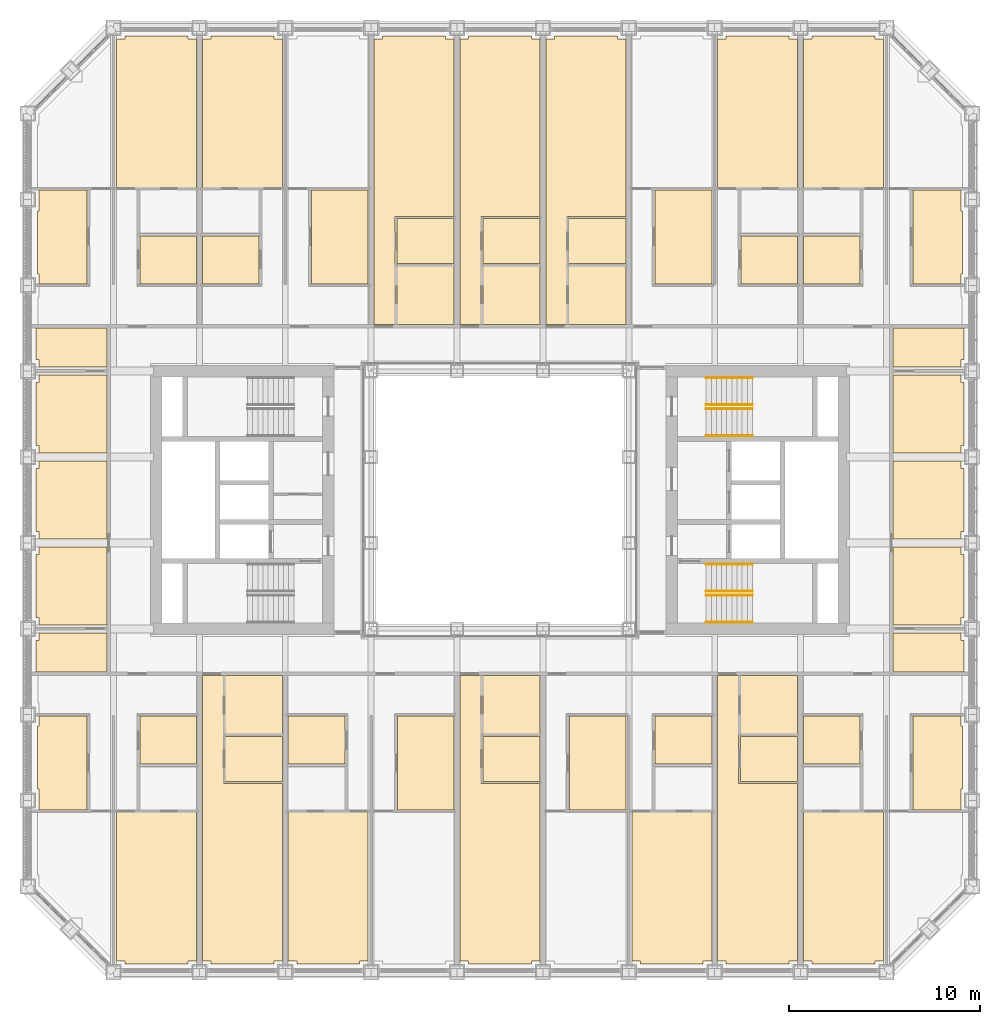
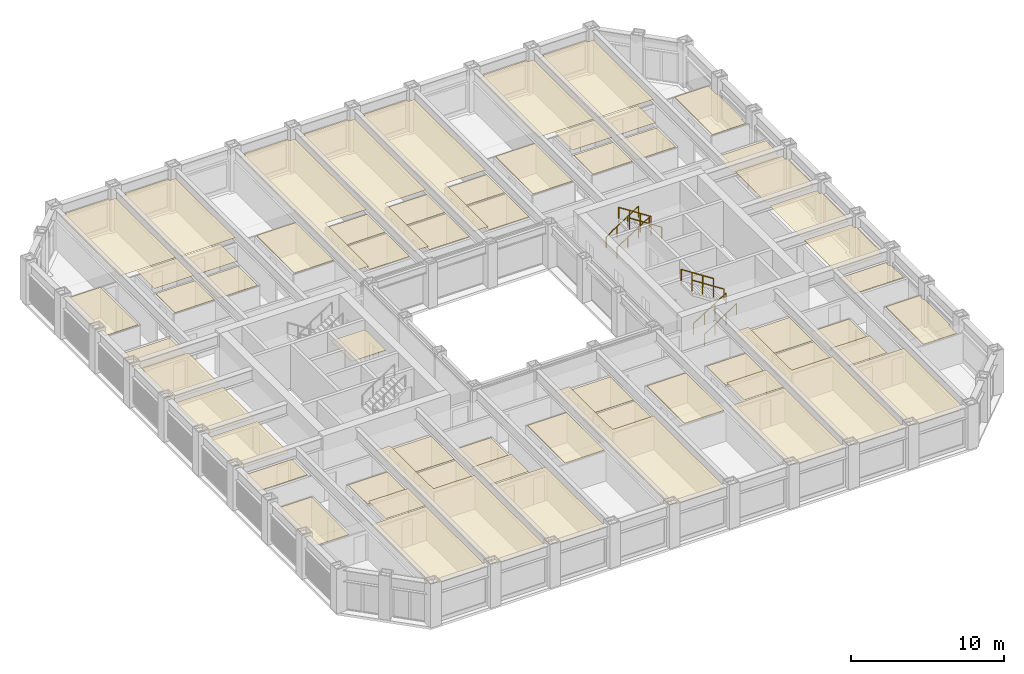
# One storey, part 20 of 21: 8 railings, 3 coverings.
"""IFC4 building model written with IfcOpenShell, lengths in metres."""

from ifc_helpers import new_model, si_unit, direction, frame, origin, origin_2d, place, context, subcontext, project, spatial, line, indexed_curve, circle, outline, extrude, material, layer, layer_set, type_object, element, save


model = new_model("IFC4")

# Units and contexts
model_context = context("Model", 3, precision=1e-05, world=origin(), true_north=direction((0.0, 1.0)))
body_context = subcontext(model_context, "Body", "Model", "MODEL_VIEW")
ifc_project = project(units=[si_unit("LENGTHUNIT", "METRE"), si_unit("AREAUNIT", "SQUARE_METRE"), si_unit("VOLUMEUNIT", "CUBIC_METRE"), si_unit("PLANEANGLEUNIT", "RADIAN"), si_unit("MASSUNIT", "GRAM", prefix="KILO")], contexts=[model_context])

# Site, building, storey
site_placement = place(None, origin())
site = spatial("IfcSite", under=ifc_project, at=site_placement, CompositionType="ELEMENT")
building_placement = place(site_placement, origin())
building = spatial("IfcBuilding", under=site, at=building_placement, Name="Msasa Ring Tower", CompositionType="ELEMENT")
storey_placement = place(building_placement, frame((0.0, 0.0, 44.0)))
storey = spatial("IfcBuildingStorey", under=building, at=storey_placement, Name="L10", CompositionType="ELEMENT", Elevation=44.0)

# Coverings
ifc_material_1 = material(Name="Gypsum plasterboard on a steel suspension grid", Category="steel")
ifc_layer_1 = layer(ifc_material_1, 0.014892578125)
ifc_layer_set_1 = layer_set([ifc_layer_1], Name="C1 SUSPENDED PLASTERBOARD CEILING 15")
covering_type_1 = type_object("IfcCoveringType", Name="C1 SUSPENDED PLASTERBOARD CEILING 15", PredefinedType="CEILING", material=ifc_layer_set_1)
covering_1_placement = place(storey_placement, frame((0.0, 0.0, 2.699951171875)))
element("IfcCovering", 1, at=covering_1_placement, inside=storey, type_object=covering_type_1, Name="Suspended Plasterboard Ceiling 15 L10", PredefinedType="CEILING", context=body_context, shape_type="SweptSolid", body=[
    extrude(outline(indexed_curve([(-24.299560546875, -2.8505859375), (-24.1494140625, -2.8505859375), (-24.1494140625, -2.460693359375), (-20.6005859375, -2.460693359375), (-20.6005859375, -6.539306640625), (-24.1494140625, -6.539306640625), (-24.1494140625, -6.1494140625), (-24.299560546875, -6.1494140625)], segments=[line(1, 2, 3, 4, 5, 6, 7, 8, 1)], self_intersect=False)), origin(), (0.0, 0.0, 1.0), 0.01513671875),
    extrude(outline(indexed_curve([(-24.299560546875, 1.6494140625), (-24.1494140625, 1.6494140625), (-24.1494140625, 2.039306640625), (-20.6005859375, 2.039306640625), (-20.6005859375, -2.039306640625), (-24.1494140625, -2.039306640625), (-24.1494140625, -1.6494140625), (-24.299560546875, -1.6494140625)], segments=[line(1, 2, 3, 4, 5, 6, 7, 8, 1)], self_intersect=False)), origin(), (0.0, 0.0, 1.0), 0.01513671875),
    extrude(outline(indexed_curve([(-24.299560546875, 6.1494140625), (-24.1494140625, 6.1494140625), (-24.1494140625, 6.539306640625), (-20.6005859375, 6.539306640625), (-20.6005859375, 2.460693359375), (-24.1494140625, 2.460693359375), (-24.1494140625, 2.8505859375), (-24.299560546875, 2.8505859375)], segments=[line(1, 2, 3, 4, 5, 6, 7, 8, 1)], self_intersect=False)), origin(), (0.0, 0.0, 1.0), 0.01513671875),
    extrude(outline(indexed_curve([(-15.904296875, -16.35546875), (-15.904296875, -24.1494140625), (-16.3505859375, -24.1494140625), (-16.3505859375, -24.299560546875), (-19.6494140625, -24.299560546875), (-19.6494140625, -24.1494140625), (-20.095703125, -24.1494140625), (-20.095703125, -16.35546875)], segments=[line(1, 2, 3, 4, 5, 6, 7, 8, 1)], self_intersect=False)), origin(), (0.0, 0.0, 1.0), 0.01513671875),
    extrude(outline(indexed_curve([(-20.095703125, 16.35546875), (-20.095703125, 24.1494140625), (-19.6494140625, 24.1494140625), (-19.6494140625, 24.299560546875), (-16.3505859375, 24.299560546875), (-16.3505859375, 24.1494140625), (-15.904296875, 24.1494140625), (-15.904296875, 16.35546875)], segments=[line(1, 2, 3, 4, 5, 6, 7, 8, 1)], self_intersect=False)), origin(), (0.0, 0.0, 1.0), 0.01513671875),
    extrude(outline(indexed_curve([(-18.869384765625, -13.98046875), (-15.904296875, -13.98046875), (-15.904296875, -16.244384765625), (-18.869384765625, -16.244384765625)], segments=[line(1, 2, 3, 4, 1)], self_intersect=False)), origin(), (0.0, 0.0, 1.0), 0.01513671875),
    extrude(outline(indexed_curve([(-15.904296875, 16.244384765625), (-15.904296875, 13.98046875), (-18.869384765625, 13.98046875), (-18.869384765625, 16.244384765625)], segments=[line(1, 2, 3, 4, 1)], self_intersect=False)), origin(), (0.0, 0.0, 1.0), 0.01513671875),
    extrude(outline(indexed_curve([(-14.50048828125, -9.200439453125), (-14.50048828125, -14.8505859375), (-11.404296875, -14.8505859375), (-11.404296875, -24.1494140625), (-11.8505859375, -24.1494140625), (-11.8505859375, -24.299560546875), (-15.1494140625, -24.299560546875), (-15.1494140625, -24.1494140625), (-15.595703125, -24.1494140625), (-15.595703125, -9.200439453125)], segments=[line(1, 2, 3, 4, 5, 6, 7, 8, 9, 10, 1)], self_intersect=False)), origin(), (0.0, 0.0, 1.0), 0.01513671875),
    extrude(outline(indexed_curve([(-12.630615234375, 16.244384765625), (-12.630615234375, 13.98046875), (-15.595703125, 13.98046875), (-15.595703125, 16.244384765625)], segments=[line(1, 2, 3, 4, 1)], self_intersect=False)), origin(), (0.0, 0.0, 1.0), 0.01513671875),
    extrude(outline(indexed_curve([(-15.595703125, 16.35546875), (-15.595703125, 24.1494140625), (-15.1494140625, 24.1494140625), (-15.1494140625, 24.299560546875), (-11.8505859375, 24.299560546875), (-11.8505859375, 24.1494140625), (-11.404296875, 24.1494140625), (-11.404296875, 16.35546875)], segments=[line(1, 2, 3, 4, 5, 6, 7, 8, 1)], self_intersect=False)), origin(), (0.0, 0.0, 1.0), 0.01513671875),
    extrude(outline(indexed_curve([(-11.87451171875, 3.074462890625), (-9.300537109375, 3.074462890625), (-9.300537109375, 0.35546875), (-11.87451171875, 0.35546875)], segments=[line(1, 2, 3, 4, 1)], self_intersect=False)), origin(), (0.0, 0.0, 1.0), 0.01513671875),
    extrude(outline(indexed_curve([(-10.6494140625, -24.299560546875), (-10.6494140625, -24.1494140625), (-11.095703125, -24.1494140625), (-11.095703125, -16.35546875), (-6.904296875, -16.35546875), (-6.904296875, -24.1494140625), (-7.3505859375, -24.1494140625), (-7.3505859375, -24.299560546875)], segments=[line(1, 2, 3, 4, 5, 6, 7, 8, 1)], self_intersect=False)), origin(), (0.0, 0.0, 1.0), 0.01513671875),
    extrude(outline(indexed_curve([(-8.130615234375, -13.98046875), (-8.130615234375, -16.244384765625), (-11.095703125, -16.244384765625), (-11.095703125, -13.98046875)], segments=[line(1, 2, 3, 4, 1)], self_intersect=False)), origin(), (0.0, 0.0, 1.0), 0.01513671875),
    extrude(outline(indexed_curve([(-6.595703125, 9.200439453125), (-6.595703125, 24.1494140625), (-6.1494140625, 24.1494140625), (-6.1494140625, 24.299560546875), (-2.8505859375, 24.299560546875), (-2.8505859375, 24.1494140625), (-2.404296875, 24.1494140625), (-2.404296875, 14.8505859375), (-5.50048828125, 14.8505859375), (-5.50048828125, 9.200439453125)], segments=[line(1, 2, 3, 4, 5, 6, 7, 8, 9, 10, 1)], self_intersect=False)), origin(), (0.0, 0.0, 1.0), 0.01513671875),
    extrude(outline(indexed_curve([(-1.6494140625, -24.299560546875), (-1.6494140625, -24.1494140625), (-2.095703125, -24.1494140625), (-2.095703125, -9.200439453125), (-1.00048828125, -9.200439453125), (-1.00048828125, -14.8505859375), (2.095703125, -14.8505859375), (2.095703125, -24.1494140625), (1.6494140625, -24.1494140625), (1.6494140625, -24.299560546875)], segments=[line(1, 2, 3, 4, 5, 6, 7, 8, 9, 10, 1)], self_intersect=False)), origin(), (0.0, 0.0, 1.0), 0.01513671875),
    extrude(outline(indexed_curve([(1.6494140625, 24.299560546875), (1.6494140625, 24.1494140625), (2.095703125, 24.1494140625), (2.095703125, 14.8505859375), (-1.00048828125, 14.8505859375), (-1.00048828125, 9.200439453125), (-2.095703125, 9.200439453125), (-2.095703125, 24.1494140625), (-1.6494140625, 24.1494140625), (-1.6494140625, 24.299560546875)], segments=[line(1, 2, 3, 4, 5, 6, 7, 8, 9, 10, 1)], self_intersect=False)), origin(), (0.0, 0.0, 1.0), 0.01513671875),
    extrude(outline(indexed_curve([(6.1494140625, 24.299560546875), (6.1494140625, 24.1494140625), (6.595703125, 24.1494140625), (6.595703125, 14.8505859375), (3.49951171875, 14.8505859375), (3.49951171875, 9.200439453125), (2.404296875, 9.200439453125), (2.404296875, 24.1494140625), (2.8505859375, 24.1494140625), (2.8505859375, 24.299560546875)], segments=[line(1, 2, 3, 4, 5, 6, 7, 8, 9, 10, 1)], self_intersect=False)), origin(), (0.0, 0.0, 1.0), 0.01513671875),
    extrude(outline(indexed_curve([(7.3505859375, -24.299560546875), (7.3505859375, -24.1494140625), (6.904296875, -24.1494140625), (6.904296875, -16.35546875), (11.095703125, -16.35546875), (11.095703125, -24.1494140625), (10.6494140625, -24.1494140625), (10.6494140625, -24.299560546875)], segments=[line(1, 2, 3, 4, 5, 6, 7, 8, 1)], self_intersect=False)), origin(), (0.0, 0.0, 1.0), 0.01513671875),
    extrude(outline(indexed_curve([(11.095703125, -13.98046875), (11.095703125, -16.244384765625), (8.130615234375, -16.244384765625), (8.130615234375, -13.98046875)], segments=[line(1, 2, 3, 4, 1)], self_intersect=False)), origin(), (0.0, 0.0, 1.0), 0.01513671875),
    extrude(outline(indexed_curve([(12.49951171875, -9.200439453125), (12.49951171875, -14.8505859375), (15.595703125, -14.8505859375), (15.595703125, -24.1494140625), (15.1494140625, -24.1494140625), (15.1494140625, -24.299560546875), (11.8505859375, -24.299560546875), (11.8505859375, -24.1494140625), (11.404296875, -24.1494140625), (11.404296875, -9.200439453125)], segments=[line(1, 2, 3, 4, 5, 6, 7, 8, 9, 10, 1)], self_intersect=False)), origin(), (0.0, 0.0, 1.0), 0.01513671875),
    extrude(outline(indexed_curve([(15.1494140625, 24.299560546875), (15.1494140625, 24.1494140625), (15.595703125, 24.1494140625), (15.595703125, 16.35546875), (11.404296875, 16.35546875), (11.404296875, 24.1494140625), (11.8505859375, 24.1494140625), (11.8505859375, 24.299560546875)], segments=[line(1, 2, 3, 4, 5, 6, 7, 8, 1)], self_intersect=False)), origin(), (0.0, 0.0, 1.0), 0.01513671875),
    extrude(outline(indexed_curve([(15.595703125, 16.244384765625), (15.595703125, 13.98046875), (12.630615234375, 13.98046875), (12.630615234375, 16.244384765625)], segments=[line(1, 2, 3, 4, 1)], self_intersect=False)), origin(), (0.0, 0.0, 1.0), 0.01513671875),
    extrude(outline(indexed_curve([(20.095703125, -16.35546875), (20.095703125, -24.1494140625), (19.6494140625, -24.1494140625), (19.6494140625, -24.299560546875), (16.3505859375, -24.299560546875), (16.3505859375, -24.1494140625), (15.904296875, -24.1494140625), (15.904296875, -16.35546875)], segments=[line(1, 2, 3, 4, 5, 6, 7, 8, 1)], self_intersect=False)), origin(), (0.0, 0.0, 1.0), 0.01513671875),
    extrude(outline(indexed_curve([(18.869384765625, -13.98046875), (18.869384765625, -16.244384765625), (15.904296875, -16.244384765625), (15.904296875, -13.98046875)], segments=[line(1, 2, 3, 4, 1)], self_intersect=False)), origin(), (0.0, 0.0, 1.0), 0.01513671875),
    extrude(outline(indexed_curve([(18.869384765625, 16.244384765625), (18.869384765625, 13.98046875), (15.904296875, 13.98046875), (15.904296875, 16.244384765625)], segments=[line(1, 2, 3, 4, 1)], self_intersect=False)), origin(), (0.0, 0.0, 1.0), 0.01513671875),
    extrude(outline(indexed_curve([(15.904296875, 16.35546875), (15.904296875, 24.1494140625), (16.3505859375, 24.1494140625), (16.3505859375, 24.299560546875), (19.6494140625, 24.299560546875), (19.6494140625, 24.1494140625), (20.095703125, 24.1494140625), (20.095703125, 16.35546875)], segments=[line(1, 2, 3, 4, 5, 6, 7, 8, 1)], self_intersect=False)), origin(), (0.0, 0.0, 1.0), 0.01513671875),
    extrude(outline(indexed_curve([(20.6005859375, -2.460693359375), (24.1494140625, -2.460693359375), (24.1494140625, -2.8505859375), (24.299560546875, -2.8505859375), (24.299560546875, -6.1494140625), (24.1494140625, -6.1494140625), (24.1494140625, -6.539306640625), (20.6005859375, -6.539306640625)], segments=[line(1, 2, 3, 4, 5, 6, 7, 8, 1)], self_intersect=False)), origin(), (0.0, 0.0, 1.0), 0.01513671875),
    extrude(outline(indexed_curve([(20.6005859375, 2.039306640625), (24.1494140625, 2.039306640625), (24.1494140625, 1.6494140625), (24.299560546875, 1.6494140625), (24.299560546875, -1.6494140625), (24.1494140625, -1.6494140625), (24.1494140625, -2.039306640625), (20.6005859375, -2.039306640625)], segments=[line(1, 2, 3, 4, 5, 6, 7, 8, 1)], self_intersect=False)), origin(), (0.0, 0.0, 1.0), 0.01513671875),
    extrude(outline(indexed_curve([(20.6005859375, 6.539306640625), (24.1494140625, 6.539306640625), (24.1494140625, 6.1494140625), (24.299560546875, 6.1494140625), (24.299560546875, 2.8505859375), (24.1494140625, 2.8505859375), (24.1494140625, 2.460693359375), (20.6005859375, 2.460693359375)], segments=[line(1, 2, 3, 4, 5, 6, 7, 8, 1)], self_intersect=False)), origin(), (0.0, 0.0, 1.0), 0.01513671875),
])
ifc_material_2 = material(Name="Moisture-resistant gypsum plasterboard on a steel suspension grid", Category="steel")
ifc_layer_2 = layer(ifc_material_2, 0.014892578125)
ifc_layer_set_2 = layer_set([ifc_layer_2], Name="C2 MOISTURE-RESISTANT PLASTERBOARD CEILING 15")
covering_type_2 = type_object("IfcCoveringType", Name="C2 MOISTURE-RESISTANT PLASTERBOARD CEILING 15", PredefinedType="CEILING", material=ifc_layer_set_2)
covering_2_placement = place(storey_placement, frame((0.0, 0.0, 2.39990234375)))
element("IfcCovering", 2, at=covering_2_placement, inside=storey, type_object=covering_type_2, Name="Moisture-Resistant Plasterboard Ceiling 15 L10", PredefinedType="CEILING", context=body_context, shape_type="SweptSolid", body=[
    extrude(outline(indexed_curve([(-20.6005859375, 6.960693359375), (-24.1494140625, 6.960693359375), (-24.1494140625, 7.3505859375), (-24.299560546875, 7.3505859375), (-24.299560546875, 8.99951171875), (-20.6005859375, 8.99951171875)], segments=[line(1, 2, 3, 4, 5, 6, 1)], self_intersect=False)), origin(), (0.0, 0.0, 1.0), 0.01513671875),
    extrude(outline(indexed_curve([(-18.869384765625, -11.305419921875), (-15.904296875, -11.305419921875), (-15.904296875, -13.819580078125), (-18.869384765625, -13.819580078125)], segments=[line(1, 2, 3, 4, 1)], self_intersect=False)), origin(), (0.0, 0.0, 1.0), 0.01513671875),
    extrude(outline(indexed_curve([(-18.869384765625, 13.819580078125), (-15.904296875, 13.819580078125), (-15.904296875, 11.305419921875), (-18.869384765625, 11.305419921875)], segments=[line(1, 2, 3, 4, 1)], self_intersect=False)), origin(), (0.0, 0.0, 1.0), 0.01513671875),
    extrude(outline(indexed_curve([(-12.630615234375, 13.819580078125), (-12.630615234375, 11.305419921875), (-15.595703125, 11.305419921875), (-15.595703125, 13.819580078125)], segments=[line(1, 2, 3, 4, 1)], self_intersect=False)), origin(), (0.0, 0.0, 1.0), 0.01513671875),
    extrude(outline(indexed_curve([(-14.3994140625, -9.200439453125), (-11.404296875, -9.200439453125), (-11.404296875, -12.24951171875), (-14.3994140625, -12.24951171875)], segments=[line(1, 2, 3, 4, 1)], self_intersect=False)), origin(), (0.0, 0.0, 1.0), 0.01513671875),
    extrude(outline(indexed_curve([(-8.130615234375, -11.305419921875), (-8.130615234375, -13.819580078125), (-11.095703125, -13.819580078125), (-11.095703125, -11.305419921875)], segments=[line(1, 2, 3, 4, 1)], self_intersect=False)), origin(), (0.0, 0.0, 1.0), 0.01513671875),
    extrude(outline(indexed_curve([(-5.3994140625, 12.24951171875), (-2.404296875, 12.24951171875), (-2.404296875, 9.200439453125), (-5.3994140625, 9.200439453125)], segments=[line(1, 2, 3, 4, 1)], self_intersect=False)), origin(), (0.0, 0.0, 1.0), 0.01513671875),
    extrude(outline(indexed_curve([(-0.8994140625, -9.200439453125), (2.095703125, -9.200439453125), (2.095703125, -12.24951171875), (-0.8994140625, -12.24951171875)], segments=[line(1, 2, 3, 4, 1)], self_intersect=False)), origin(), (0.0, 0.0, 1.0), 0.01513671875),
    extrude(outline(indexed_curve([(-0.8994140625, 12.24951171875), (2.095703125, 12.24951171875), (2.095703125, 9.200439453125), (-0.8994140625, 9.200439453125)], segments=[line(1, 2, 3, 4, 1)], self_intersect=False)), origin(), (0.0, 0.0, 1.0), 0.01513671875),
    extrude(outline(indexed_curve([(3.6005859375, 12.24951171875), (6.595703125, 12.24951171875), (6.595703125, 9.200439453125), (3.6005859375, 9.200439453125)], segments=[line(1, 2, 3, 4, 1)], self_intersect=False)), origin(), (0.0, 0.0, 1.0), 0.01513671875),
    extrude(outline(indexed_curve([(8.130615234375, -11.305419921875), (11.095703125, -11.305419921875), (11.095703125, -13.819580078125), (8.130615234375, -13.819580078125)], segments=[line(1, 2, 3, 4, 1)], self_intersect=False)), origin(), (0.0, 0.0, 1.0), 0.01513671875),
    extrude(outline(indexed_curve([(12.6005859375, -9.200439453125), (15.595703125, -9.200439453125), (15.595703125, -12.24951171875), (12.6005859375, -12.24951171875)], segments=[line(1, 2, 3, 4, 1)], self_intersect=False)), origin(), (0.0, 0.0, 1.0), 0.01513671875),
    extrude(outline(indexed_curve([(12.630615234375, 13.819580078125), (15.595703125, 13.819580078125), (15.595703125, 11.305419921875), (12.630615234375, 11.305419921875)], segments=[line(1, 2, 3, 4, 1)], self_intersect=False)), origin(), (0.0, 0.0, 1.0), 0.01513671875),
    extrude(outline(indexed_curve([(18.869384765625, -11.305419921875), (18.869384765625, -13.819580078125), (15.904296875, -13.819580078125), (15.904296875, -11.305419921875)], segments=[line(1, 2, 3, 4, 1)], self_intersect=False)), origin(), (0.0, 0.0, 1.0), 0.01513671875),
    extrude(outline(indexed_curve([(18.869384765625, 13.819580078125), (18.869384765625, 11.305419921875), (15.904296875, 11.305419921875), (15.904296875, 13.819580078125)], segments=[line(1, 2, 3, 4, 1)], self_intersect=False)), origin(), (0.0, 0.0, 1.0), 0.01513671875),
    extrude(outline(indexed_curve([(20.6005859375, 8.99951171875), (24.299560546875, 8.99951171875), (24.299560546875, 7.3505859375), (24.1494140625, 7.3505859375), (24.1494140625, 6.960693359375), (20.6005859375, 6.960693359375)], segments=[line(1, 2, 3, 4, 5, 6, 1)], self_intersect=False)), origin(), (0.0, 0.0, 1.0), 0.01513671875),
])
ifc_material_3 = material(Name="Perforated aluminium ceiling pans on a steel grid", Category="steel")
ifc_layer_3 = layer(ifc_material_3, 0.02490234375)
ifc_layer_set_3 = layer_set([ifc_layer_3], Name="C4 PERFORATED METAL PAN CEILING 25")
covering_type_3 = type_object("IfcCoveringType", Name="C4 PERFORATED METAL PAN CEILING 25", PredefinedType="CEILING", material=ifc_layer_set_3)
covering_3_placement = place(storey_placement, frame((0.0, 0.0, 2.39990234375)))
element("IfcCovering", 3, at=covering_3_placement, inside=storey, type_object=covering_type_3, Name="Perforated Metal Pan Ceiling 25 L10", PredefinedType="CEILING", context=body_context, shape_type="SweptSolid", body=[
    extrude(outline(indexed_curve([(-20.6005859375, -8.99951171875), (-24.299560546875, -8.99951171875), (-24.299560546875, -7.3505859375), (-24.1494140625, -7.3505859375), (-24.1494140625, -6.960693359375), (-20.6005859375, -6.960693359375)], segments=[line(1, 2, 3, 4, 5, 6, 1)], self_intersect=False)), origin(), (0.0, 0.0, 1.0), 0.025146484375),
    extrude(outline(indexed_curve([(-24.239501953125, -11.8505859375), (-24.1494140625, -11.8505859375), (-24.1494140625, -11.305419921875), (-21.630615234375, -11.305419921875), (-21.630615234375, -16.244384765625), (-24.1494140625, -16.244384765625), (-24.1494140625, -15.1494140625), (-24.239501953125, -15.1494140625)], segments=[line(1, 2, 3, 4, 5, 6, 7, 8, 1)], self_intersect=False)), origin(), (0.0, 0.0, 1.0), 0.025146484375),
    extrude(outline(indexed_curve([(-24.239501953125, 15.1494140625), (-24.1494140625, 15.1494140625), (-24.1494140625, 16.244384765625), (-21.630615234375, 16.244384765625), (-21.630615234375, 11.305419921875), (-24.1494140625, 11.305419921875), (-24.1494140625, 11.8505859375), (-24.239501953125, 11.8505859375)], segments=[line(1, 2, 3, 4, 5, 6, 7, 8, 1)], self_intersect=False)), origin(), (0.0, 0.0, 1.0), 0.025146484375),
    extrude(outline(indexed_curve([(-14.3994140625, -12.380615234375), (-11.404296875, -12.380615234375), (-11.404296875, -14.744384765625), (-14.3994140625, -14.744384765625)], segments=[line(1, 2, 3, 4, 1)], self_intersect=False)), origin(), (0.0, 0.0, 1.0), 0.025146484375),
    extrude(outline(indexed_curve([(-9.869384765625, 16.244384765625), (-6.904296875, 16.244384765625), (-6.904296875, 11.305419921875), (-9.869384765625, 11.305419921875)], segments=[line(1, 2, 3, 4, 1)], self_intersect=False)), origin(), (0.0, 0.0, 1.0), 0.025146484375),
    extrude(outline(indexed_curve([(-5.3994140625, 14.744384765625), (-2.404296875, 14.744384765625), (-2.404296875, 12.380615234375), (-5.3994140625, 12.380615234375)], segments=[line(1, 2, 3, 4, 1)], self_intersect=False)), origin(), (0.0, 0.0, 1.0), 0.025146484375),
    extrude(outline(indexed_curve([(-5.369384765625, -11.305419921875), (-2.404296875, -11.305419921875), (-2.404296875, -16.244384765625), (-5.369384765625, -16.244384765625)], segments=[line(1, 2, 3, 4, 1)], self_intersect=False)), origin(), (0.0, 0.0, 1.0), 0.025146484375),
    extrude(outline(indexed_curve([(-0.8994140625, -12.380615234375), (2.095703125, -12.380615234375), (2.095703125, -14.744384765625), (-0.8994140625, -14.744384765625)], segments=[line(1, 2, 3, 4, 1)], self_intersect=False)), origin(), (0.0, 0.0, 1.0), 0.025146484375),
    extrude(outline(indexed_curve([(-0.8994140625, 14.744384765625), (2.095703125, 14.744384765625), (2.095703125, 12.380615234375), (-0.8994140625, 12.380615234375)], segments=[line(1, 2, 3, 4, 1)], self_intersect=False)), origin(), (0.0, 0.0, 1.0), 0.025146484375),
    extrude(outline(indexed_curve([(3.6005859375, 14.744384765625), (6.595703125, 14.744384765625), (6.595703125, 12.380615234375), (3.6005859375, 12.380615234375)], segments=[line(1, 2, 3, 4, 1)], self_intersect=False)), origin(), (0.0, 0.0, 1.0), 0.025146484375),
    extrude(outline(indexed_curve([(3.630615234375, -11.305419921875), (6.595703125, -11.305419921875), (6.595703125, -16.244384765625), (3.630615234375, -16.244384765625)], segments=[line(1, 2, 3, 4, 1)], self_intersect=False)), origin(), (0.0, 0.0, 1.0), 0.025146484375),
    extrude(outline(indexed_curve([(8.130615234375, 16.244384765625), (11.095703125, 16.244384765625), (11.095703125, 11.305419921875), (8.130615234375, 11.305419921875)], segments=[line(1, 2, 3, 4, 1)], self_intersect=False)), origin(), (0.0, 0.0, 1.0), 0.025146484375),
    extrude(outline(indexed_curve([(12.6005859375, -12.380615234375), (15.595703125, -12.380615234375), (15.595703125, -14.744384765625), (12.6005859375, -14.744384765625)], segments=[line(1, 2, 3, 4, 1)], self_intersect=False)), origin(), (0.0, 0.0, 1.0), 0.025146484375),
    extrude(outline(indexed_curve([(20.6005859375, -8.99951171875), (20.6005859375, -6.960693359375), (24.1494140625, -6.960693359375), (24.1494140625, -7.3505859375), (24.299560546875, -7.3505859375), (24.299560546875, -8.99951171875)], segments=[line(1, 2, 3, 4, 5, 6, 1)], self_intersect=False)), origin(), (0.0, 0.0, 1.0), 0.025146484375),
    extrude(outline(indexed_curve([(21.630615234375, -11.305419921875), (24.1494140625, -11.305419921875), (24.1494140625, -11.8505859375), (24.239501953125, -11.8505859375), (24.239501953125, -15.1494140625), (24.1494140625, -15.1494140625), (24.1494140625, -16.244384765625), (21.630615234375, -16.244384765625)], segments=[line(1, 2, 3, 4, 5, 6, 7, 8, 1)], self_intersect=False)), origin(), (0.0, 0.0, 1.0), 0.025146484375),
    extrude(outline(indexed_curve([(21.630615234375, 16.244384765625), (24.1494140625, 16.244384765625), (24.1494140625, 15.1494140625), (24.239501953125, 15.1494140625), (24.239501953125, 11.8505859375), (24.1494140625, 11.8505859375), (24.1494140625, 11.305419921875), (21.630615234375, 11.305419921875)], segments=[line(1, 2, 3, 4, 5, 6, 7, 8, 1)], self_intersect=False)), origin(), (0.0, 0.0, 1.0), 0.025146484375),
])

# Railings
ifc_material_4 = material(Name="Stainless steel", Category="steel")
railing_type = type_object("IfcRailingType", Name="HR1 HANDRAIL 900", PredefinedType="HANDRAIL", material=ifc_material_4)
for number, where, name in (
    (4, (10.800048828125, -6.39990234375, 0.175048828125), "Handrail stair SEA L10 1"),
    (5, (10.800048828125, -5.0, 0.175048828125), "Handrail stair SEA L10 2"),
):
    element("IfcRailing", number, at=place(storey_placement, frame(where)), inside=storey, type_object=railing_type, Name=name, PredefinedType="HANDRAIL", context=body_context, shape_type="SweptSolid", body=[
        extrude(circle(Radius=0.02392578125, at=origin_2d()), frame((0.0, 0.0, 0.8759765625), z_axis=(0.839153699163, 0.0, 0.543894354798), x_axis=(0.0, 1.0, 0.0)), (0.0, 0.0, 1.0), 2.895751953125),
        extrude(circle(Radius=0.02099609375, at=origin_2d()), origin(), (0.0, 0.0, 1.0), 0.851806640625),
        extrude(circle(Radius=0.02099609375, at=origin_2d()), frame((0.81005859375, 0.0, 0.52490234375)), (0.0, 0.0, 1.0), 0.851806640625),
        extrude(circle(Radius=0.02099609375, at=origin_2d()), frame((1.619873046875, 0.0, 1.050048828125)), (0.0, 0.0, 1.0), 0.851806640625),
        extrude(circle(Radius=0.02099609375, at=origin_2d()), frame((2.429931640625, 0.0, 1.574951171875)), (0.0, 0.0, 1.0), 0.851806640625),
    ])
for number, where, name in (
    (6, (13.22998046875, -4.77490234375, 1.925048828125), "Handrail stair SEA L10 3"),
    (7, (13.22998046875, -3.375, 1.925048828125), "Handrail stair SEA L10 4"),
):
    element("IfcRailing", number, at=place(storey_placement, frame(where)), inside=storey, type_object=railing_type, Name=name, PredefinedType="HANDRAIL", context=body_context, shape_type="SweptSolid", body=[
        extrude(circle(Radius=0.02392578125, at=origin_2d()), frame((0.0, 0.0, 0.8759765625), z_axis=(-0.839153699163, 0.0, 0.543894354798), x_axis=(0.0, -1.0, 0.0)), (0.0, 0.0, 1.0), 2.895751953125),
        extrude(circle(Radius=0.02099609375, at=origin_2d()), origin(), (0.0, 0.0, 1.0), 0.851806640625),
        extrude(circle(Radius=0.02099609375, at=origin_2d()), frame((-0.81005859375, 0.0, 0.52490234375)), (0.0, 0.0, 1.0), 0.851806640625),
        extrude(circle(Radius=0.02099609375, at=origin_2d()), frame((-1.619873046875, 0.0, 1.050048828125)), (0.0, 0.0, 1.0), 0.851806640625),
        extrude(circle(Radius=0.02099609375, at=origin_2d()), frame((-2.429931640625, 0.0, 1.574951171875)), (0.0, 0.0, 1.0), 0.851806640625),
    ])
for number, where, name in (
    (8, (10.800048828125, 5.0, 0.175048828125), "Handrail stair SEB L10 1"),
    (9, (10.800048828125, 6.39990234375, 0.175048828125), "Handrail stair SEB L10 2"),
):
    element("IfcRailing", number, at=place(storey_placement, frame(where)), inside=storey, type_object=railing_type, Name=name, PredefinedType="HANDRAIL", context=body_context, shape_type="SweptSolid", body=[
        extrude(circle(Radius=0.02392578125, at=origin_2d()), frame((0.0, 0.0, 0.8759765625), z_axis=(0.839153699163, 0.0, 0.543894354798), x_axis=(0.0, 1.0, 0.0)), (0.0, 0.0, 1.0), 2.895751953125),
        extrude(circle(Radius=0.02099609375, at=origin_2d()), origin(), (0.0, 0.0, 1.0), 0.851806640625),
        extrude(circle(Radius=0.02099609375, at=origin_2d()), frame((0.81005859375, 0.0, 0.52490234375)), (0.0, 0.0, 1.0), 0.851806640625),
        extrude(circle(Radius=0.02099609375, at=origin_2d()), frame((1.619873046875, 0.0, 1.050048828125)), (0.0, 0.0, 1.0), 0.851806640625),
        extrude(circle(Radius=0.02099609375, at=origin_2d()), frame((2.429931640625, 0.0, 1.574951171875)), (0.0, 0.0, 1.0), 0.851806640625),
    ])
for number, where, name in (
    (10, (13.22998046875, 3.375, 1.925048828125), "Handrail stair SEB L10 3"),
    (11, (13.22998046875, 4.77490234375, 1.925048828125), "Handrail stair SEB L10 4"),
):
    element("IfcRailing", number, at=place(storey_placement, frame(where)), inside=storey, type_object=railing_type, Name=name, PredefinedType="HANDRAIL", context=body_context, shape_type="SweptSolid", body=[
        extrude(circle(Radius=0.02392578125, at=origin_2d()), frame((0.0, 0.0, 0.8759765625), z_axis=(-0.839153699163, 0.0, 0.543894354798), x_axis=(0.0, -1.0, 0.0)), (0.0, 0.0, 1.0), 2.895751953125),
        extrude(circle(Radius=0.02099609375, at=origin_2d()), origin(), (0.0, 0.0, 1.0), 0.851806640625),
        extrude(circle(Radius=0.02099609375, at=origin_2d()), frame((-0.81005859375, 0.0, 0.52490234375)), (0.0, 0.0, 1.0), 0.851806640625),
        extrude(circle(Radius=0.02099609375, at=origin_2d()), frame((-1.619873046875, 0.0, 1.050048828125)), (0.0, 0.0, 1.0), 0.851806640625),
        extrude(circle(Radius=0.02099609375, at=origin_2d()), frame((-2.429931640625, 0.0, 1.574951171875)), (0.0, 0.0, 1.0), 0.851806640625),
    ])

save(model, "model.ifc")
